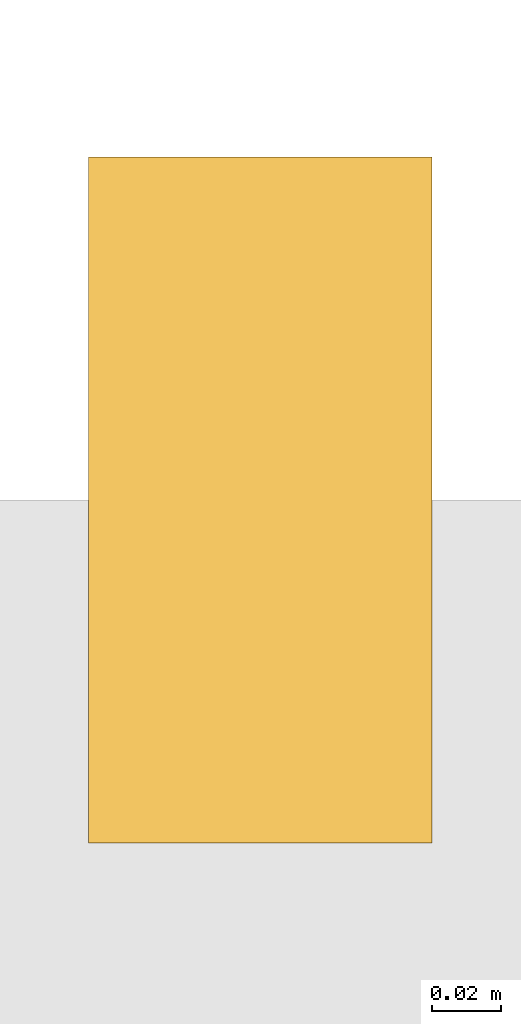
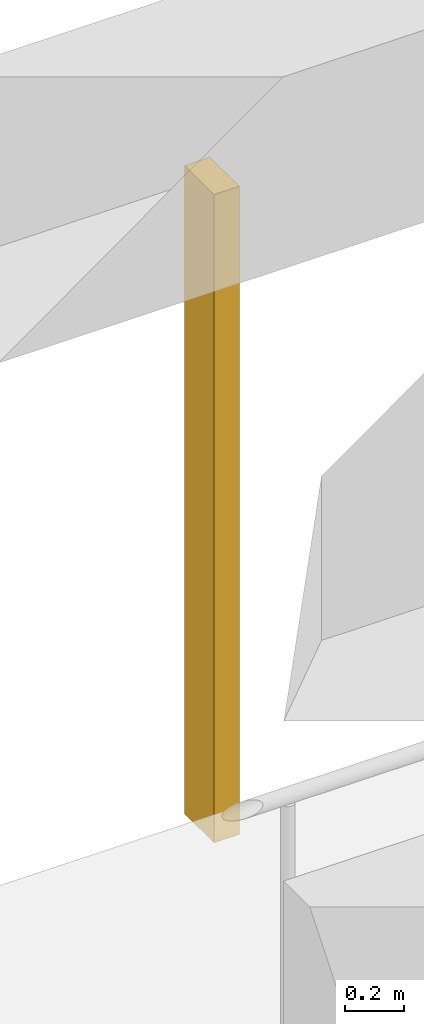
# One storey, part 14 of 20: 1 shading device.
"""IFC4 building model written with IfcOpenShell, lengths in metres."""

from ifc_helpers import new_model, si_unit, direction, frame, origin, origin_2d, place, context, subcontext, project, spatial, rectangle, extrude, material, material_profile, profile_set, type_object, element, save


model = new_model("IFC4")

# Units and contexts
model_context = context("Model", 3, precision=1e-05, world=origin(), true_north=direction((0.0, 1.0)))
body_context = subcontext(model_context, "Body", "Model", "MODEL_VIEW")
ifc_project = project(units=[si_unit("LENGTHUNIT", "METRE"), si_unit("AREAUNIT", "SQUARE_METRE"), si_unit("VOLUMEUNIT", "CUBIC_METRE"), si_unit("PLANEANGLEUNIT", "RADIAN"), si_unit("MASSUNIT", "GRAM", prefix="KILO")], contexts=[model_context])

# Site, building, storey
site_placement = place(None, origin())
site = spatial("IfcSite", under=ifc_project, at=site_placement, CompositionType="ELEMENT")
building_placement = place(site_placement, origin())
building = spatial("IfcBuilding", under=site, at=building_placement, Name="Vermilion Gate Residences", CompositionType="ELEMENT")
storey_placement = place(building_placement, frame((0.0, 0.0, 42.699951171875)))
storey = spatial("IfcBuildingStorey", under=building, at=storey_placement, Name="L09", CompositionType="ELEMENT", Elevation=42.699951171875)

# Shading device
ifc_material = material(Name="Extruded terracotta", Category="masonry")
ifc_material_profile = material_profile(ifc_material, rectangle(XDim=0.199951171875, YDim=0.10009765625, at=origin_2d()), Name="BAGUETTE 100 X 200")
ifc_profile_set = profile_set([ifc_material_profile], Name="Extruded terracotta")
shading_device_type = type_object("IfcShadingDeviceType", Name="TERRACOTTA BAGUETTE 100 X 200", PredefinedType="JALOUSIE", material=ifc_profile_set)
shading_device_placement = place(storey_placement, frame((63.0, 25.5, -0.280029296875), z_axis=(0.0, 0.0, 1.0), x_axis=(0.0, -1.0, 0.0)))
element("IfcShadingDevice", 1, at=shading_device_placement, inside=storey, type_object=shading_device_type, Name="BAGUETTE", PredefinedType="JALOUSIE", context=body_context, shape_type="SweptSolid", body=[
    extrude(rectangle(XDim=0.199951171875, YDim=0.10009765625, at=origin_2d()), origin(), (0.0, 0.0, 1.0), 2.7001953125),
])

save(model, "model.ifc")
